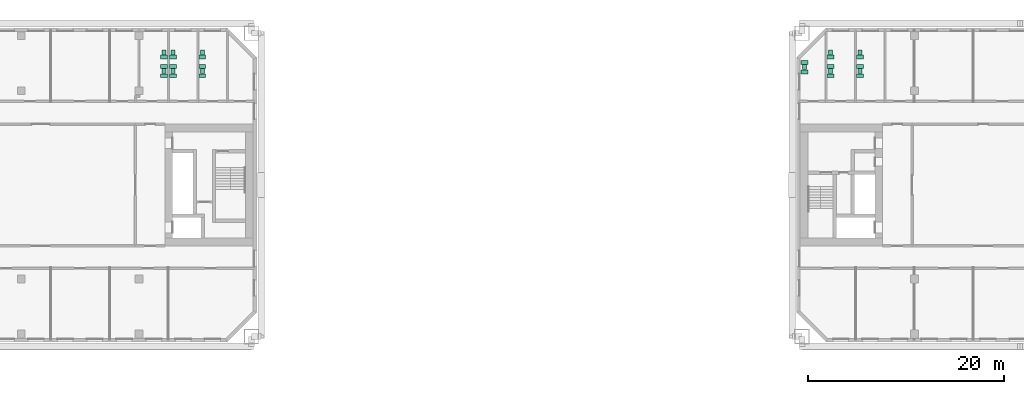
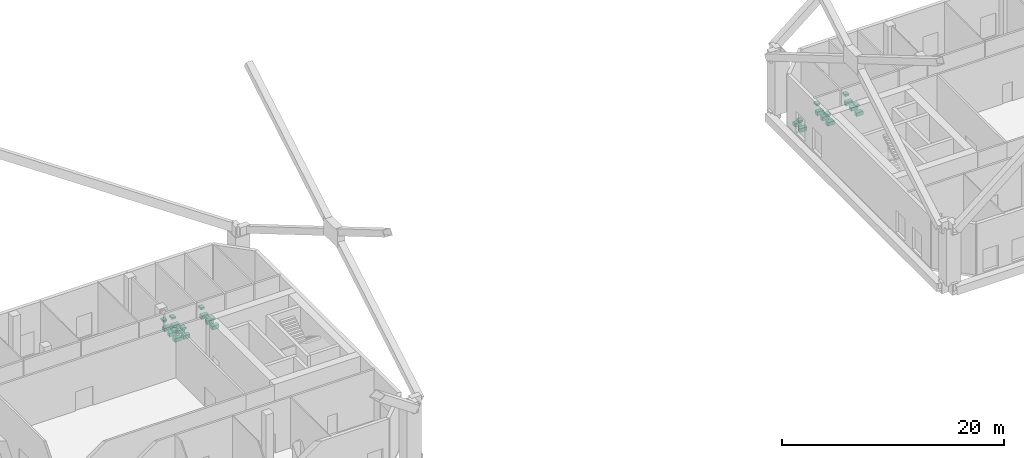
# One storey, part 20 of 20: 28 sanitary terminals.
"""IFC4 building model written with IfcOpenShell, lengths in metres."""

from ifc_helpers import new_model, si_unit, direction, frame, origin, origin_2d, place, context, subcontext, project, spatial, rectangle, extrude, element, save


model = new_model("IFC4")

# Units and contexts
model_context = context("Model", 3, precision=1e-05, world=origin(), true_north=direction((0.0, 1.0)))
body_context = subcontext(model_context, "Body", "Model", "MODEL_VIEW")
ifc_project = project(units=[si_unit("LENGTHUNIT", "METRE"), si_unit("AREAUNIT", "SQUARE_METRE"), si_unit("VOLUMEUNIT", "CUBIC_METRE"), si_unit("PLANEANGLEUNIT", "RADIAN"), si_unit("MASSUNIT", "GRAM", prefix="KILO")], contexts=[model_context])

# Site, building, storey
site_placement = place(None, origin())
site = spatial("IfcSite", under=ifc_project, at=site_placement, CompositionType="ELEMENT")
building_placement = place(site_placement, origin())
building = spatial("IfcBuilding", under=site, at=building_placement, Name="Tuart Gate Housing", CompositionType="ELEMENT")
storey_placement = place(building_placement, frame((0.0, 0.0, 38.10009765625)))
storey = spatial("IfcBuildingStorey", under=building, at=storey_placement, Name="L10", CompositionType="ELEMENT", Elevation=38.10009765625)

# Sanitary terminals
for number, where, z_axis, x_axis, name in (
    (1, (66.550048828125, 81.1201171875, 0.0), (0.0, 0.0, 1.0), (1.0, 0.0, 0.0), "Water closet"),
    (2, (66.550048828125, 82.070068359375, 0.0), (0.0, 0.0, 1.0), (1.0, 0.0, 0.0), "Water closet"),
    (3, (66.550048828125, 83.02001953125, 0.0), (0.0, 0.0, 1.0), (1.0, 0.0, 0.0), "Water closet"),
):
    element("IfcSanitaryTerminal", number, at=place(storey_placement, frame(where, z_axis=z_axis, x_axis=x_axis)), inside=storey, Name=name, PredefinedType="TOILETPAN", context=body_context, shape_type="SweptSolid", body=[
        extrude(rectangle(XDim=0.699951171875, YDim=0.39990234375, at=origin_2d()), origin(), (0.0, 0.0, 1.0), 0.39990234375),
    ])
for number, where, z_axis, x_axis, name in (
    (4, (66.550048828125, 81.594970703125, 0.75), (0.0, 0.0, 1.0), (1.0, 0.0, 0.0), "Wash basin"),
    (5, (66.550048828125, 83.4951171875, 0.75), (0.0, 0.0, 1.0), (1.0, 0.0, 0.0), "Wash basin"),
):
    element("IfcSanitaryTerminal", number, at=place(storey_placement, frame(where, z_axis=z_axis, x_axis=x_axis)), inside=storey, Name=name, PredefinedType="WASHHANDBASIN", context=body_context, shape_type="SweptSolid", body=[
        extrude(rectangle(XDim=0.39990234375, YDim=0.5, at=origin_2d()), origin(), (0.0, 0.0, 1.0), 0.199951171875),
    ])
for number, where, z_axis, x_axis, name in (
    (6, (67.449951171875, 81.1201171875, 0.0), (0.0, 0.0, 1.0), (1.0, 0.0, 0.0), "Water closet"),
    (7, (67.449951171875, 82.070068359375, 0.0), (0.0, 0.0, 1.0), (1.0, 0.0, 0.0), "Water closet"),
    (8, (67.449951171875, 83.02001953125, 0.0), (0.0, 0.0, 1.0), (1.0, 0.0, 0.0), "Water closet"),
):
    element("IfcSanitaryTerminal", number, at=place(storey_placement, frame(where, z_axis=z_axis, x_axis=x_axis)), inside=storey, Name=name, PredefinedType="TOILETPAN", context=body_context, shape_type="SweptSolid", body=[
        extrude(rectangle(XDim=0.699951171875, YDim=0.39990234375, at=origin_2d()), origin(), (0.0, 0.0, 1.0), 0.39990234375),
    ])
for number, where, z_axis, x_axis, name in (
    (9, (67.449951171875, 81.594970703125, 0.75), (0.0, 0.0, 1.0), (1.0, 0.0, 0.0), "Wash basin"),
    (10, (67.449951171875, 83.4951171875, 0.75), (0.0, 0.0, 1.0), (1.0, 0.0, 0.0), "Wash basin"),
):
    element("IfcSanitaryTerminal", number, at=place(storey_placement, frame(where, z_axis=z_axis, x_axis=x_axis)), inside=storey, Name=name, PredefinedType="WASHHANDBASIN", context=body_context, shape_type="SweptSolid", body=[
        extrude(rectangle(XDim=0.39990234375, YDim=0.5, at=origin_2d()), origin(), (0.0, 0.0, 1.0), 0.199951171875),
    ])
for number, where, z_axis, x_axis, name in (
    (11, (70.449951171875, 81.1201171875, 0.0), (0.0, 0.0, 1.0), (1.0, 0.0, 0.0), "Water closet"),
    (12, (70.449951171875, 82.070068359375, 0.0), (0.0, 0.0, 1.0), (1.0, 0.0, 0.0), "Water closet"),
    (13, (70.449951171875, 83.02001953125, 0.0), (0.0, 0.0, 1.0), (1.0, 0.0, 0.0), "Water closet"),
):
    element("IfcSanitaryTerminal", number, at=place(storey_placement, frame(where, z_axis=z_axis, x_axis=x_axis)), inside=storey, Name=name, PredefinedType="TOILETPAN", context=body_context, shape_type="SweptSolid", body=[
        extrude(rectangle(XDim=0.699951171875, YDim=0.39990234375, at=origin_2d()), origin(), (0.0, 0.0, 1.0), 0.39990234375),
    ])
for number, where, z_axis, x_axis, name in (
    (14, (70.449951171875, 81.594970703125, 0.75), (0.0, 0.0, 1.0), (1.0, 0.0, 0.0), "Wash basin"),
    (15, (70.449951171875, 83.4951171875, 0.75), (0.0, 0.0, 1.0), (1.0, 0.0, 0.0), "Wash basin"),
):
    element("IfcSanitaryTerminal", number, at=place(storey_placement, frame(where, z_axis=z_axis, x_axis=x_axis)), inside=storey, Name=name, PredefinedType="WASHHANDBASIN", context=body_context, shape_type="SweptSolid", body=[
        extrude(rectangle(XDim=0.39990234375, YDim=0.5, at=origin_2d()), origin(), (0.0, 0.0, 1.0), 0.199951171875),
    ])
for number, where, z_axis, x_axis, name in (
    (16, (131.81005859375, 81.52001953125, 0.0), (0.0, 0.0, 1.0), (1.0, 0.0, 0.0), "Water closet"),
    (17, (131.81005859375, 82.470947265625, 0.0), (0.0, 0.0, 1.0), (1.0, 0.0, 0.0), "Water closet"),
):
    element("IfcSanitaryTerminal", number, at=place(storey_placement, frame(where, z_axis=z_axis, x_axis=x_axis)), inside=storey, Name=name, PredefinedType="TOILETPAN", context=body_context, shape_type="SweptSolid", body=[
        extrude(rectangle(XDim=0.699951171875, YDim=0.39990234375, at=origin_2d()), origin(), (0.0, 0.0, 1.0), 0.39990234375),
    ])
sanitary_terminal_placement = place(storey_placement, frame((131.81005859375, 81.9951171875, 0.75), z_axis=(0.0, 0.0, 1.0), x_axis=(1.0, 0.0, 0.0)))
element("IfcSanitaryTerminal", 18, at=sanitary_terminal_placement, inside=storey, Name="Wash basin", PredefinedType="WASHHANDBASIN", context=body_context, shape_type="SweptSolid", body=[
    extrude(rectangle(XDim=0.39990234375, YDim=0.5, at=origin_2d()), origin(), (0.0, 0.0, 1.0), 0.199951171875),
])
for number, where, z_axis, x_axis, name in (
    (19, (134.449951171875, 81.1201171875, 0.0), (0.0, 0.0, 1.0), (1.0, 0.0, 0.0), "Water closet"),
    (20, (134.449951171875, 82.070068359375, 0.0), (0.0, 0.0, 1.0), (1.0, 0.0, 0.0), "Water closet"),
    (21, (134.449951171875, 83.02001953125, 0.0), (0.0, 0.0, 1.0), (1.0, 0.0, 0.0), "Water closet"),
):
    element("IfcSanitaryTerminal", number, at=place(storey_placement, frame(where, z_axis=z_axis, x_axis=x_axis)), inside=storey, Name=name, PredefinedType="TOILETPAN", context=body_context, shape_type="SweptSolid", body=[
        extrude(rectangle(XDim=0.699951171875, YDim=0.39990234375, at=origin_2d()), origin(), (0.0, 0.0, 1.0), 0.39990234375),
    ])
for number, where, z_axis, x_axis, name in (
    (22, (134.449951171875, 81.594970703125, 0.75), (0.0, 0.0, 1.0), (1.0, 0.0, 0.0), "Wash basin"),
    (23, (134.449951171875, 83.4951171875, 0.75), (0.0, 0.0, 1.0), (1.0, 0.0, 0.0), "Wash basin"),
):
    element("IfcSanitaryTerminal", number, at=place(storey_placement, frame(where, z_axis=z_axis, x_axis=x_axis)), inside=storey, Name=name, PredefinedType="WASHHANDBASIN", context=body_context, shape_type="SweptSolid", body=[
        extrude(rectangle(XDim=0.39990234375, YDim=0.5, at=origin_2d()), origin(), (0.0, 0.0, 1.0), 0.199951171875),
    ])
for number, where, z_axis, x_axis, name in (
    (24, (137.449951171875, 81.1201171875, 0.0), (0.0, 0.0, 1.0), (1.0, 0.0, 0.0), "Water closet"),
    (25, (137.449951171875, 82.070068359375, 0.0), (0.0, 0.0, 1.0), (1.0, 0.0, 0.0), "Water closet"),
    (26, (137.449951171875, 83.02001953125, 0.0), (0.0, 0.0, 1.0), (1.0, 0.0, 0.0), "Water closet"),
):
    element("IfcSanitaryTerminal", number, at=place(storey_placement, frame(where, z_axis=z_axis, x_axis=x_axis)), inside=storey, Name=name, PredefinedType="TOILETPAN", context=body_context, shape_type="SweptSolid", body=[
        extrude(rectangle(XDim=0.699951171875, YDim=0.39990234375, at=origin_2d()), origin(), (0.0, 0.0, 1.0), 0.39990234375),
    ])
for number, where, z_axis, x_axis, name in (
    (27, (137.449951171875, 81.594970703125, 0.75), (0.0, 0.0, 1.0), (1.0, 0.0, 0.0), "Wash basin"),
    (28, (137.449951171875, 83.4951171875, 0.75), (0.0, 0.0, 1.0), (1.0, 0.0, 0.0), "Wash basin"),
):
    element("IfcSanitaryTerminal", number, at=place(storey_placement, frame(where, z_axis=z_axis, x_axis=x_axis)), inside=storey, Name=name, PredefinedType="WASHHANDBASIN", context=body_context, shape_type="SweptSolid", body=[
        extrude(rectangle(XDim=0.39990234375, YDim=0.5, at=origin_2d()), origin(), (0.0, 0.0, 1.0), 0.199951171875),
    ])

save(model, "model.ifc")
